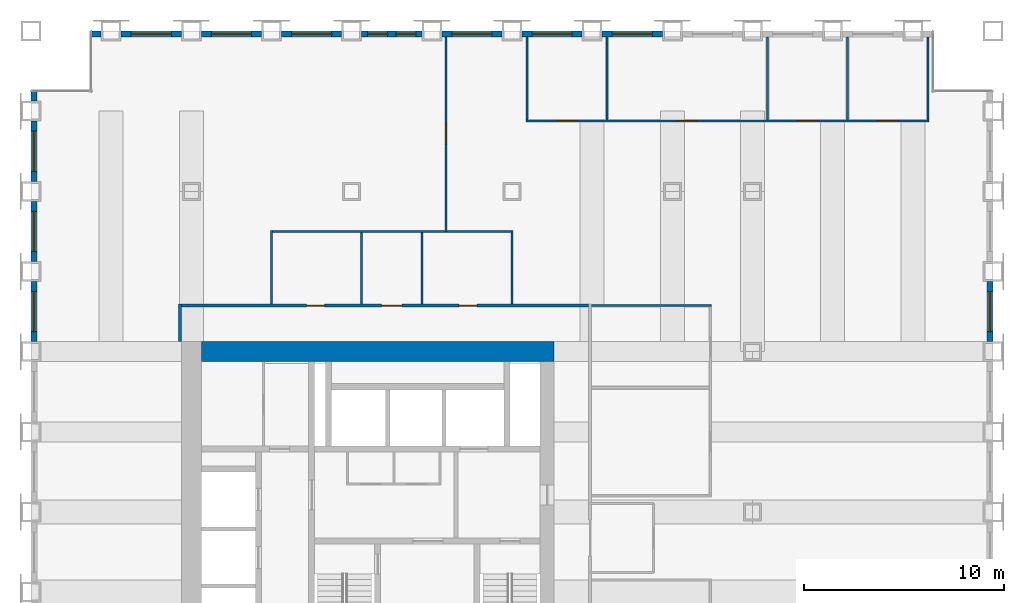
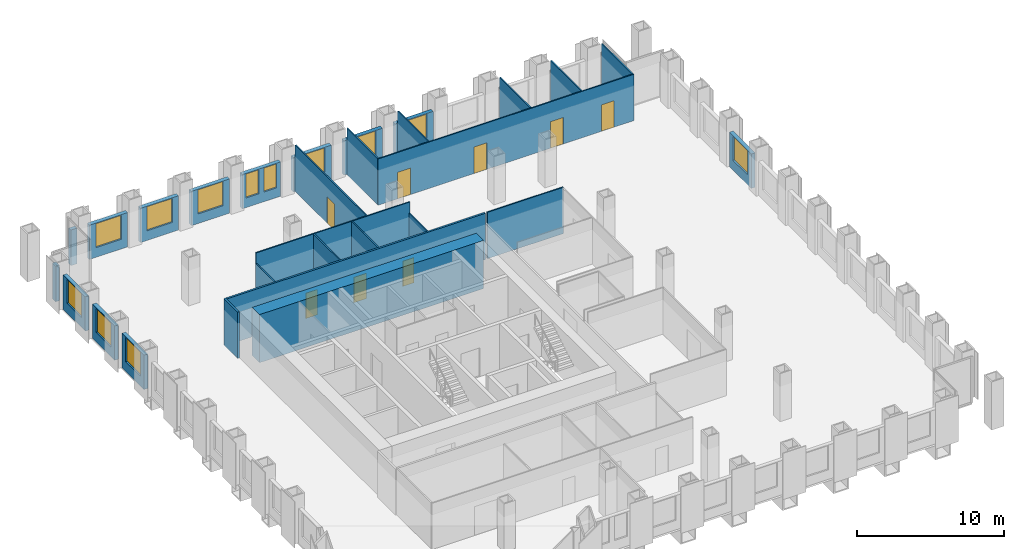
# One storey, part 12 of 14: 29 walls, 12 windows, 8 doors, 20 openings.
"""IFC4 building model written with IfcOpenShell, lengths in metres."""

from ifc_helpers import new_model, si_unit, direction, frame, frame_2d, origin, place, context, subcontext, project, spatial, rectangle, extrude, material, layer, layer_set, type_object, element, fill, save


model = new_model("IFC4")

# Units and contexts
model_context = context("Model", 3, precision=1e-05, world=origin(), true_north=direction((0.0, 1.0)))
body_context = subcontext(model_context, "Body", "Model", "MODEL_VIEW")
ifc_project = project(units=[si_unit("LENGTHUNIT", "METRE"), si_unit("AREAUNIT", "SQUARE_METRE"), si_unit("VOLUMEUNIT", "CUBIC_METRE"), si_unit("PLANEANGLEUNIT", "RADIAN"), si_unit("MASSUNIT", "GRAM", prefix="KILO")], contexts=[model_context])

# Site, building, storey
site_placement = place(None, origin())
site = spatial("IfcSite", under=ifc_project, at=site_placement, CompositionType="ELEMENT")
building_placement = place(site_placement, origin())
building = spatial("IfcBuilding", under=site, at=building_placement, Name="Rimbunsela Tower", CompositionType="ELEMENT")
storey_placement = place(building_placement, frame((0.0, 0.0, 109.39990234375)))
storey = spatial("IfcBuildingStorey", under=building, at=storey_placement, Name="L26", CompositionType="ELEMENT", Elevation=109.39990234375)

# Walls
ifc_material_1 = material(Name="Concrete fc' 80 MPa", Category="concrete")
ifc_layer_1 = layer(ifc_material_1, 1.0)
ifc_layer_set_1 = layer_set([ifc_layer_1], Name="Core wall 1000")
wall_type_1 = type_object("IfcWallType", Name="Core wall 1000", PredefinedType="SHEAR", material=ifc_layer_set_1)
wall_1_placement = place(storey_placement, frame((18.5, 36.0, -0.14990234375), z_axis=(0.0, 0.0, 1.0), x_axis=(1.0, 0.0, 0.0)))
element("IfcWall", 1, at=wall_1_placement, inside=storey, type_object=wall_type_1, Name="Core wall north", PredefinedType="SHEAR", context=body_context, shape_type="SweptSolid", body=[
    extrude(rectangle(XDim=17.60009765625, YDim=1.0, at=frame_2d((8.800048828125, 0.0))), origin(), (0.0, 0.0, 1.0), 4.0),
])
ifc_material_2 = material(Name="Gypsum board on steel studs", Category="steel")
ifc_layer_2 = layer(ifc_material_2, 0.10009765625)
ifc_layer_set_2 = layer_set([ifc_layer_2], Name="Office partition 100")
wall_type_2 = type_object("IfcWallType", Name="Office partition 100", PredefinedType="PARTITIONING", material=ifc_layer_set_2)
wall_2_placement = place(storey_placement, frame((37.97509765625, 38.300048828125, 0.0), z_axis=(0.0, 0.0, 1.0), x_axis=(1.0, 0.0, 0.0)))
element("IfcWall", 2, at=wall_2_placement, inside=storey, type_object=wall_type_2, Name="Office partition", PredefinedType="PARTITIONING", context=body_context, shape_type="SweptSolid", body=[
    extrude(rectangle(XDim=5.974853515625, YDim=0.10009765625, at=frame_2d((2.9873046875, 0.0))), origin(), (0.0, 0.0, 1.0), 3.85009765625),
])

# Wall, openings, doors
wall_3_placement = place(storey_placement, frame((34.699951171875, 47.5, 0.0), z_axis=(0.0, 0.0, 1.0), x_axis=(1.0, 0.0, 0.0)))
wall_3 = element("IfcWall", 3, at=wall_3_placement, inside=storey, type_object=wall_type_2, Name="Office partition", PredefinedType="PARTITIONING", context=body_context, shape_type="SweptSolid", body=[
    extrude(rectangle(XDim=20.10009765625, YDim=0.10009765625, at=frame_2d((10.050048828125, 0.0))), origin(), (0.0, 0.0, 1.0), 3.85009765625),
])
opening_1_placement = place(wall_3_placement, frame((1.550048828125, 0.0, 0.0)))
opening_1 = element("IfcOpeningElement", 4, at=opening_1_placement, cuts=wall_3, Name="Opening D16", PredefinedType="OPENING", context=body_context, shape_type="SweptSolid", body=[
    extrude(rectangle(XDim=1.0, YDim=2.199951171875, at=frame_2d((0.5, 1.10009765625))), frame((0.0, 0.06005859375, 0.0), z_axis=(0.0, -1.0, 0.0), x_axis=(1.0, 0.0, 0.0)), (0.0, 0.0, 1.0), 0.1201171875),
])
opening_2_placement = place(wall_3_placement, frame((7.550048828125, 0.0, 0.0)))
opening_2 = element("IfcOpeningElement", 5, at=opening_2_placement, cuts=wall_3, Name="Opening D16", PredefinedType="OPENING", context=body_context, shape_type="SweptSolid", body=[
    extrude(rectangle(XDim=1.0, YDim=2.199951171875, at=frame_2d((0.5, 1.10009765625))), frame((0.0, 0.06005859375, 0.0), z_axis=(0.0, -1.0, 0.0), x_axis=(1.0, 0.0, 0.0)), (0.0, 0.0, 1.0), 0.1201171875),
])
opening_3_placement = place(wall_3_placement, frame((13.550048828125, 0.0, 0.0)))
opening_3 = element("IfcOpeningElement", 6, at=opening_3_placement, cuts=wall_3, Name="Opening D16", PredefinedType="OPENING", context=body_context, shape_type="SweptSolid", body=[
    extrude(rectangle(XDim=1.0, YDim=2.199951171875, at=frame_2d((0.5, 1.10009765625))), frame((0.0, 0.06005859375, 0.0), z_axis=(0.0, -1.0, 0.0), x_axis=(1.0, 0.0, 0.0)), (0.0, 0.0, 1.0), 0.1201171875),
])
opening_4_placement = place(wall_3_placement, frame((17.550048828125, 0.0, 0.0)))
opening_4 = element("IfcOpeningElement", 7, at=opening_4_placement, cuts=wall_3, Name="Opening D16", PredefinedType="OPENING", context=body_context, shape_type="SweptSolid", body=[
    extrude(rectangle(XDim=1.0, YDim=2.199951171875, at=frame_2d((0.5, 1.10009765625))), frame((0.0, 0.06005859375, 0.0), z_axis=(0.0, -1.0, 0.0), x_axis=(1.0, 0.0, 0.0)), (0.0, 0.0, 1.0), 0.1201171875),
])
ifc_material_3 = material(Name="Timber door", Category="wood")
door_type_1 = type_object("IfcDoorType", Name="Office door 1000", OperationType="SINGLE_SWING_LEFT", PredefinedType="DOOR", material=ifc_material_3)
door_1_placement = place(opening_1_placement, origin())
door_1 = element("IfcDoor", 8, at=door_1_placement, inside=storey, type_object=door_type_1, Name="Office door", OperationType="SINGLE_SWING_LEFT", OverallHeight=2.199951171875, OverallWidth=1.0, PredefinedType="DOOR", context=body_context, shape_type="SweptSolid", body=[
    extrude(rectangle(XDim=1.0, YDim=2.199951171875, at=frame_2d((0.5, 1.10009765625))), frame((0.0, 0.02490234375, 0.0), z_axis=(0.0, -1.0, 0.0), x_axis=(1.0, 0.0, 0.0)), (0.0, 0.0, 1.0), 0.050048828125),
])
fill(opening_1, door_1)
door_2_placement = place(opening_2_placement, origin())
door_2 = element("IfcDoor", 9, at=door_2_placement, inside=storey, type_object=door_type_1, Name="Office door", OperationType="SINGLE_SWING_LEFT", OverallHeight=2.199951171875, OverallWidth=1.0, PredefinedType="DOOR", context=body_context, shape_type="SweptSolid", body=[
    extrude(rectangle(XDim=1.0, YDim=2.199951171875, at=frame_2d((0.5, 1.10009765625))), frame((0.0, 0.02490234375, 0.0), z_axis=(0.0, -1.0, 0.0), x_axis=(1.0, 0.0, 0.0)), (0.0, 0.0, 1.0), 0.050048828125),
])
fill(opening_2, door_2)
door_3_placement = place(opening_3_placement, origin())
door_3 = element("IfcDoor", 10, at=door_3_placement, inside=storey, type_object=door_type_1, Name="Office door", OperationType="SINGLE_SWING_LEFT", OverallHeight=2.199951171875, OverallWidth=1.0, PredefinedType="DOOR", context=body_context, shape_type="SweptSolid", body=[
    extrude(rectangle(XDim=1.0, YDim=2.199951171875, at=frame_2d((0.5, 1.10009765625))), frame((0.0, 0.02490234375, 0.0), z_axis=(0.0, -1.0, 0.0), x_axis=(1.0, 0.0, 0.0)), (0.0, 0.0, 1.0), 0.050048828125),
])
fill(opening_3, door_3)
door_4_placement = place(opening_4_placement, origin())
door_4 = element("IfcDoor", 11, at=door_4_placement, inside=storey, type_object=door_type_1, Name="Office door", OperationType="SINGLE_SWING_LEFT", OverallHeight=2.199951171875, OverallWidth=1.0, PredefinedType="DOOR", context=body_context, shape_type="SweptSolid", body=[
    extrude(rectangle(XDim=1.0, YDim=2.199951171875, at=frame_2d((0.5, 1.10009765625))), frame((0.0, 0.02490234375, 0.0), z_axis=(0.0, -1.0, 0.0), x_axis=(1.0, 0.0, 0.0)), (0.0, 0.0, 1.0), 0.050048828125),
])
fill(opening_4, door_4)

# Walls
for number, where, z_axis, x_axis, name in (
    (12, (34.75, 47.550048828125, 0.0), (0.0, 0.0, 1.0), (0.0, 1.0, 0.0), "Office partition"),
    (13, (38.75, 47.550048828125, 0.0), (0.0, 0.0, 1.0), (0.0, 1.0, 0.0), "Office partition"),
    (14, (46.75, 47.550048828125, 0.0), (0.0, 0.0, 1.0), (0.0, 1.0, 0.0), "Office partition"),
    (15, (50.75, 47.550048828125, 0.0), (0.0, 0.0, 1.0), (0.0, 1.0, 0.0), "Office partition"),
    (16, (54.75, 47.550048828125, 0.0), (0.0, 0.0, 1.0), (0.0, 1.0, 0.0), "Office partition"),
):
    element("IfcWall", number, at=place(storey_placement, frame(where, z_axis=z_axis, x_axis=x_axis)), inside=storey, type_object=wall_type_2, Name=name, PredefinedType="PARTITIONING", context=body_context, shape_type="SweptSolid", body=[
        extrude(rectangle(XDim=4.14990234375, YDim=0.10009765625, at=frame_2d((2.074951171875, 0.0))), origin(), (0.0, 0.0, 1.0), 3.85009765625),
    ])

# Wall, opening, door
wall_4_placement = place(storey_placement, frame((30.699951171875, 42.0, 0.0), z_axis=(0.0, 0.0, 1.0), x_axis=(0.0, 1.0, 0.0)))
wall_4 = element("IfcWall", 17, at=wall_4_placement, inside=storey, type_object=wall_type_2, Name="Office partition", PredefinedType="PARTITIONING", context=body_context, shape_type="SweptSolid", body=[
    extrude(rectangle(XDim=9.699951171875, YDim=0.10009765625, at=frame_2d((4.85009765625, 0.0))), origin(), (0.0, 0.0, 1.0), 3.85009765625),
])
opening_5_placement = place(wall_4_placement, frame((4.35009765625, 0.0, 0.0)))
opening_5 = element("IfcOpeningElement", 18, at=opening_5_placement, cuts=wall_4, Name="Opening D17", PredefinedType="OPENING", context=body_context, shape_type="SweptSolid", body=[
    extrude(rectangle(XDim=1.0, YDim=2.199951171875, at=frame_2d((0.5, 1.10009765625))), frame((0.0, 0.06005859375, 0.0), z_axis=(0.0, -1.0, 0.0), x_axis=(1.0, 0.0, 0.0)), (0.0, 0.0, 1.0), 0.1201171875),
])
ifc_material_4 = material(Name="Glazed aluminium door", Category="aluminium")
door_type_2 = type_object("IfcDoorType", Name="Meeting room door 1000 glazed", OperationType="SINGLE_SWING_RIGHT", PredefinedType="DOOR", material=ifc_material_4)
door_5_placement = place(opening_5_placement, origin())
door_5 = element("IfcDoor", 19, at=door_5_placement, inside=storey, type_object=door_type_2, Name="Open office screen door", OperationType="SINGLE_SWING_RIGHT", OverallHeight=2.199951171875, OverallWidth=1.0, PredefinedType="DOOR", context=body_context, shape_type="SweptSolid", body=[
    extrude(rectangle(XDim=1.0, YDim=2.199951171875, at=frame_2d((0.5, 1.10009765625))), frame((0.0, 0.02490234375, 0.0), z_axis=(0.0, -1.0, 0.0), x_axis=(1.0, 0.0, 0.0)), (0.0, 0.0, 1.0), 0.050048828125),
])
fill(opening_5, door_5)

# Wall, opening, window
ifc_material_5 = material(Name="Precast concrete fc' 35 MPa", Category="concrete")
ifc_layer_3 = layer(ifc_material_5, 0.300048828125)
ifc_layer_set_3 = layer_set([ifc_layer_3], Name="Precast concrete fc' 35 MPa")
wall_type_3 = type_object("IfcWallType", Name="Precast facade panel 300", PredefinedType="ELEMENTEDWALL", material=ifc_layer_set_3)
wall_5_placement = place(storey_placement, frame((57.85009765625, 36.5, 0.0), z_axis=(0.0, 0.0, 1.0), x_axis=(0.0, 1.0, 0.0)))
wall_5 = element("IfcWall", 20, at=wall_5_placement, inside=storey, type_object=wall_type_3, Name="Facade panel E L26", PredefinedType="ELEMENTEDWALL", context=body_context, shape_type="SweptSolid", body=[
    extrude(rectangle(XDim=3.0, YDim=0.300048828125, at=frame_2d((1.5, 0.0))), origin(), (0.0, 0.0, 1.0), 2.85009765625),
])
opening_6_placement = place(wall_5_placement, frame((0.5, 0.0, 0.800048828125)))
opening_6 = element("IfcOpeningElement", 21, at=opening_6_placement, cuts=wall_5, Name="Opening W1", PredefinedType="OPENING", context=body_context, shape_type="SweptSolid", body=[
    extrude(rectangle(XDim=2.0, YDim=2.0, at=frame_2d((1.0, 1.0))), frame((0.0, 0.159912109375, 0.0), z_axis=(0.0, -1.0, 0.0), x_axis=(1.0, 0.0, 0.0)), (0.0, 0.0, 1.0), 0.320068359375),
])
ifc_material_6 = material(Name="Clear glass in aluminium frame", Category="aluminium")
window_type_1 = type_object("IfcWindowType", Name="Window W1 2000x2000", PartitioningType="DOUBLE_PANEL_VERTICAL", PredefinedType="WINDOW", material=ifc_material_6)
window_1_placement = place(opening_6_placement, origin())
window_1 = element("IfcWindow", 22, at=window_1_placement, inside=storey, type_object=window_type_1, Name="Window L26", OverallHeight=2.0, OverallWidth=2.0, PartitioningType="SINGLE_PANEL", PredefinedType="WINDOW", context=body_context, shape_type="SweptSolid", body=[
    extrude(rectangle(XDim=2.0, YDim=2.0, at=frame_2d((1.0, 1.0))), frame((0.0, 0.030029296875, 0.0), z_axis=(0.0, -1.0, 0.0), x_axis=(1.0, 0.0, 0.0)), (0.0, 0.0, 1.0), 0.06005859375),
])
fill(opening_6, window_1)

# Wall
wall_6_placement = place(storey_placement, frame((13.5, 51.85009765625, 0.0), z_axis=(0.0, 0.0, 1.0), x_axis=(-1.0, 0.0, 0.0)))
element("IfcWall", 23, at=wall_6_placement, inside=storey, type_object=wall_type_3, Name="Facade panel N L26", PredefinedType="ELEMENTEDWALL", context=body_context, shape_type="SweptSolid", body=[
    extrude(rectangle(XDim=0.469970703125, YDim=0.300048828125, at=frame_2d((0.23486328125, 0.0))), origin(), (0.0, 0.0, 1.0), 2.9501953125),
])

# Wall, opening, window
wall_7_placement = place(storey_placement, frame((17.5, 51.85009765625, 0.0), z_axis=(0.0, 0.0, 1.0), x_axis=(-1.0, 0.0, 0.0)))
wall_7 = element("IfcWall", 24, at=wall_7_placement, inside=storey, type_object=wall_type_3, Name="Facade panel N L26", PredefinedType="ELEMENTEDWALL", context=body_context, shape_type="SweptSolid", body=[
    extrude(rectangle(XDim=3.0, YDim=0.300048828125, at=frame_2d((1.5, 0.0))), origin(), (0.0, 0.0, 1.0), 2.85009765625),
])
opening_7_placement = place(wall_7_placement, frame((0.5, 0.0, 0.800048828125)))
opening_7 = element("IfcOpeningElement", 25, at=opening_7_placement, cuts=wall_7, Name="Opening W1", PredefinedType="OPENING", context=body_context, shape_type="SweptSolid", body=[
    extrude(rectangle(XDim=2.0, YDim=2.0, at=frame_2d((1.0, 1.0))), frame((0.0, 0.159912109375, 0.0), z_axis=(0.0, -1.0, 0.0), x_axis=(1.0, 0.0, 0.0)), (0.0, 0.0, 1.0), 0.320068359375),
])
window_2_placement = place(opening_7_placement, origin())
window_2 = element("IfcWindow", 26, at=window_2_placement, inside=storey, type_object=window_type_1, Name="Window L26", OverallHeight=2.0, OverallWidth=2.0, PartitioningType="SINGLE_PANEL", PredefinedType="WINDOW", context=body_context, shape_type="SweptSolid", body=[
    extrude(rectangle(XDim=2.0, YDim=2.0, at=frame_2d((1.0, 1.0))), frame((0.0, 0.030029296875, 0.0), z_axis=(0.0, -1.0, 0.0), x_axis=(1.0, 0.0, 0.0)), (0.0, 0.0, 1.0), 0.06005859375),
])
fill(opening_7, window_2)

wall_8_placement = place(storey_placement, frame((21.5, 51.85009765625, 0.0), z_axis=(0.0, 0.0, 1.0), x_axis=(-1.0, 0.0, 0.0)))
wall_8 = element("IfcWall", 27, at=wall_8_placement, inside=storey, type_object=wall_type_3, Name="Facade panel N L26", PredefinedType="ELEMENTEDWALL", context=body_context, shape_type="SweptSolid", body=[
    extrude(rectangle(XDim=3.0, YDim=0.300048828125, at=frame_2d((1.5, 0.0))), origin(), (0.0, 0.0, 1.0), 2.85009765625),
])
opening_8_placement = place(wall_8_placement, frame((0.5, 0.0, 0.800048828125)))
opening_8 = element("IfcOpeningElement", 28, at=opening_8_placement, cuts=wall_8, Name="Opening W1", PredefinedType="OPENING", context=body_context, shape_type="SweptSolid", body=[
    extrude(rectangle(XDim=2.0, YDim=2.0, at=frame_2d((1.0, 1.0))), frame((0.0, 0.159912109375, 0.0), z_axis=(0.0, -1.0, 0.0), x_axis=(1.0, 0.0, 0.0)), (0.0, 0.0, 1.0), 0.320068359375),
])
window_3_placement = place(opening_8_placement, origin())
window_3 = element("IfcWindow", 29, at=window_3_placement, inside=storey, type_object=window_type_1, Name="Window L26", OverallHeight=2.0, OverallWidth=2.0, PartitioningType="SINGLE_PANEL", PredefinedType="WINDOW", context=body_context, shape_type="SweptSolid", body=[
    extrude(rectangle(XDim=2.0, YDim=2.0, at=frame_2d((1.0, 1.0))), frame((0.0, 0.030029296875, 0.0), z_axis=(0.0, -1.0, 0.0), x_axis=(1.0, 0.0, 0.0)), (0.0, 0.0, 1.0), 0.06005859375),
])
fill(opening_8, window_3)

wall_9_placement = place(storey_placement, frame((25.5, 51.85009765625, 0.0), z_axis=(0.0, 0.0, 1.0), x_axis=(-1.0, 0.0, 0.0)))
wall_9 = element("IfcWall", 30, at=wall_9_placement, inside=storey, type_object=wall_type_3, Name="Facade panel N L26", PredefinedType="ELEMENTEDWALL", context=body_context, shape_type="SweptSolid", body=[
    extrude(rectangle(XDim=3.0, YDim=0.300048828125, at=frame_2d((1.5, 0.0))), origin(), (0.0, 0.0, 1.0), 2.85009765625),
])
opening_9_placement = place(wall_9_placement, frame((0.5, 0.0, 0.800048828125)))
opening_9 = element("IfcOpeningElement", 31, at=opening_9_placement, cuts=wall_9, Name="Opening W1", PredefinedType="OPENING", context=body_context, shape_type="SweptSolid", body=[
    extrude(rectangle(XDim=2.0, YDim=2.0, at=frame_2d((1.0, 1.0))), frame((0.0, 0.159912109375, 0.0), z_axis=(0.0, -1.0, 0.0), x_axis=(1.0, 0.0, 0.0)), (0.0, 0.0, 1.0), 0.320068359375),
])
window_4_placement = place(opening_9_placement, origin())
window_4 = element("IfcWindow", 32, at=window_4_placement, inside=storey, type_object=window_type_1, Name="Window L26", OverallHeight=2.0, OverallWidth=2.0, PartitioningType="SINGLE_PANEL", PredefinedType="WINDOW", context=body_context, shape_type="SweptSolid", body=[
    extrude(rectangle(XDim=2.0, YDim=2.0, at=frame_2d((1.0, 1.0))), frame((0.0, 0.030029296875, 0.0), z_axis=(0.0, -1.0, 0.0), x_axis=(1.0, 0.0, 0.0)), (0.0, 0.0, 1.0), 0.06005859375),
])
fill(opening_9, window_4)

# Wall, openings, windows
wall_10_placement = place(storey_placement, frame((29.5, 51.85009765625, 0.0), z_axis=(0.0, 0.0, 1.0), x_axis=(-1.0, 0.0, 0.0)))
wall_10 = element("IfcWall", 33, at=wall_10_placement, inside=storey, type_object=wall_type_3, Name="Facade panel N L26", PredefinedType="ELEMENTEDWALL", context=body_context, shape_type="SweptSolid", body=[
    extrude(rectangle(XDim=3.0, YDim=0.300048828125, at=frame_2d((1.5, 0.0))), origin(), (0.0, 0.0, 1.0), 2.85009765625),
])
opening_10_placement = place(wall_10_placement, frame((1.699951171875, 0.0, 0.800048828125)))
opening_10 = element("IfcOpeningElement", 34, at=opening_10_placement, cuts=wall_10, Name="Opening W5", PredefinedType="OPENING", context=body_context, shape_type="SweptSolid", body=[
    extrude(rectangle(XDim=1.0, YDim=2.0, at=frame_2d((0.5, 1.0))), frame((0.0, 0.159912109375, 0.0), z_axis=(0.0, -1.0, 0.0), x_axis=(1.0, 0.0, 0.0)), (0.0, 0.0, 1.0), 0.320068359375),
])
opening_11_placement = place(wall_10_placement, frame((0.300048828125, 0.0, 0.800048828125)))
opening_11 = element("IfcOpeningElement", 35, at=opening_11_placement, cuts=wall_10, Name="Opening W5", PredefinedType="OPENING", context=body_context, shape_type="SweptSolid", body=[
    extrude(rectangle(XDim=1.0, YDim=2.0, at=frame_2d((0.5, 1.0))), frame((0.0, 0.159912109375, 0.0), z_axis=(0.0, -1.0, 0.0), x_axis=(1.0, 0.0, 0.0)), (0.0, 0.0, 1.0), 0.320068359375),
])
ifc_material_7 = material(Name="Clear glass in aluminium frame", Category="aluminium")
window_type_2 = type_object("IfcWindowType", Name="Window W5 1000x2000", PartitioningType="SINGLE_PANEL", PredefinedType="WINDOW", material=ifc_material_7)
window_5_placement = place(opening_10_placement, origin())
window_5 = element("IfcWindow", 36, at=window_5_placement, inside=storey, type_object=window_type_2, Name="Window L26", OverallHeight=2.0, OverallWidth=1.0, PartitioningType="SINGLE_PANEL", PredefinedType="WINDOW", context=body_context, shape_type="SweptSolid", body=[
    extrude(rectangle(XDim=1.0, YDim=2.0, at=frame_2d((0.5, 1.0))), frame((0.0, 0.030029296875, 0.0), z_axis=(0.0, -1.0, 0.0), x_axis=(1.0, 0.0, 0.0)), (0.0, 0.0, 1.0), 0.06005859375),
])
fill(opening_10, window_5)
window_6_placement = place(opening_11_placement, origin())
window_6 = element("IfcWindow", 37, at=window_6_placement, inside=storey, type_object=window_type_2, Name="Window L26", OverallHeight=2.0, OverallWidth=1.0, PartitioningType="SINGLE_PANEL", PredefinedType="WINDOW", context=body_context, shape_type="SweptSolid", body=[
    extrude(rectangle(XDim=1.0, YDim=2.0, at=frame_2d((0.5, 1.0))), frame((0.0, 0.030029296875, 0.0), z_axis=(0.0, -1.0, 0.0), x_axis=(1.0, 0.0, 0.0)), (0.0, 0.0, 1.0), 0.06005859375),
])
fill(opening_11, window_6)

# Wall, opening, window
wall_11_placement = place(storey_placement, frame((33.5, 51.85009765625, 0.0), z_axis=(0.0, 0.0, 1.0), x_axis=(-1.0, 0.0, 0.0)))
wall_11 = element("IfcWall", 38, at=wall_11_placement, inside=storey, type_object=wall_type_3, Name="Facade panel N L26", PredefinedType="ELEMENTEDWALL", context=body_context, shape_type="SweptSolid", body=[
    extrude(rectangle(XDim=3.0, YDim=0.300048828125, at=frame_2d((1.5, 0.0))), origin(), (0.0, 0.0, 1.0), 2.85009765625),
])
opening_12_placement = place(wall_11_placement, frame((0.5, 0.0, 0.800048828125)))
opening_12 = element("IfcOpeningElement", 39, at=opening_12_placement, cuts=wall_11, Name="Opening W1", PredefinedType="OPENING", context=body_context, shape_type="SweptSolid", body=[
    extrude(rectangle(XDim=2.0, YDim=2.0, at=frame_2d((1.0, 1.0))), frame((0.0, 0.159912109375, 0.0), z_axis=(0.0, -1.0, 0.0), x_axis=(1.0, 0.0, 0.0)), (0.0, 0.0, 1.0), 0.320068359375),
])
window_7_placement = place(opening_12_placement, origin())
window_7 = element("IfcWindow", 40, at=window_7_placement, inside=storey, type_object=window_type_1, Name="Window L26", OverallHeight=2.0, OverallWidth=2.0, PartitioningType="SINGLE_PANEL", PredefinedType="WINDOW", context=body_context, shape_type="SweptSolid", body=[
    extrude(rectangle(XDim=2.0, YDim=2.0, at=frame_2d((1.0, 1.0))), frame((0.0, 0.030029296875, 0.0), z_axis=(0.0, -1.0, 0.0), x_axis=(1.0, 0.0, 0.0)), (0.0, 0.0, 1.0), 0.06005859375),
])
fill(opening_12, window_7)

wall_12_placement = place(storey_placement, frame((37.5, 51.85009765625, 0.0), z_axis=(0.0, 0.0, 1.0), x_axis=(-1.0, 0.0, 0.0)))
wall_12 = element("IfcWall", 41, at=wall_12_placement, inside=storey, type_object=wall_type_3, Name="Facade panel N L26", PredefinedType="ELEMENTEDWALL", context=body_context, shape_type="SweptSolid", body=[
    extrude(rectangle(XDim=3.0, YDim=0.300048828125, at=frame_2d((1.5, 0.0))), origin(), (0.0, 0.0, 1.0), 2.85009765625),
])
opening_13_placement = place(wall_12_placement, frame((0.5, 0.0, 0.800048828125)))
opening_13 = element("IfcOpeningElement", 42, at=opening_13_placement, cuts=wall_12, Name="Opening W1", PredefinedType="OPENING", context=body_context, shape_type="SweptSolid", body=[
    extrude(rectangle(XDim=2.0, YDim=2.0, at=frame_2d((1.0, 1.0))), frame((0.0, 0.159912109375, 0.0), z_axis=(0.0, -1.0, 0.0), x_axis=(1.0, 0.0, 0.0)), (0.0, 0.0, 1.0), 0.320068359375),
])
window_8_placement = place(opening_13_placement, origin())
window_8 = element("IfcWindow", 43, at=window_8_placement, inside=storey, type_object=window_type_1, Name="Window L26", OverallHeight=2.0, OverallWidth=2.0, PartitioningType="SINGLE_PANEL", PredefinedType="WINDOW", context=body_context, shape_type="SweptSolid", body=[
    extrude(rectangle(XDim=2.0, YDim=2.0, at=frame_2d((1.0, 1.0))), frame((0.0, 0.030029296875, 0.0), z_axis=(0.0, -1.0, 0.0), x_axis=(1.0, 0.0, 0.0)), (0.0, 0.0, 1.0), 0.06005859375),
])
fill(opening_13, window_8)

wall_13_placement = place(storey_placement, frame((41.5, 51.85009765625, 0.0), z_axis=(0.0, 0.0, 1.0), x_axis=(-1.0, 0.0, 0.0)))
wall_13 = element("IfcWall", 44, at=wall_13_placement, inside=storey, type_object=wall_type_3, Name="Facade panel N L26", PredefinedType="ELEMENTEDWALL", context=body_context, shape_type="SweptSolid", body=[
    extrude(rectangle(XDim=3.0, YDim=0.300048828125, at=frame_2d((1.5, 0.0))), origin(), (0.0, 0.0, 1.0), 2.85009765625),
])
opening_14_placement = place(wall_13_placement, frame((0.5, 0.0, 0.800048828125)))
opening_14 = element("IfcOpeningElement", 45, at=opening_14_placement, cuts=wall_13, Name="Opening W1", PredefinedType="OPENING", context=body_context, shape_type="SweptSolid", body=[
    extrude(rectangle(XDim=2.0, YDim=2.0, at=frame_2d((1.0, 1.0))), frame((0.0, 0.159912109375, 0.0), z_axis=(0.0, -1.0, 0.0), x_axis=(1.0, 0.0, 0.0)), (0.0, 0.0, 1.0), 0.320068359375),
])
window_9_placement = place(opening_14_placement, origin())
window_9 = element("IfcWindow", 46, at=window_9_placement, inside=storey, type_object=window_type_1, Name="Window L26", OverallHeight=2.0, OverallWidth=2.0, PartitioningType="SINGLE_PANEL", PredefinedType="WINDOW", context=body_context, shape_type="SweptSolid", body=[
    extrude(rectangle(XDim=2.0, YDim=2.0, at=frame_2d((1.0, 1.0))), frame((0.0, 0.030029296875, 0.0), z_axis=(0.0, -1.0, 0.0), x_axis=(1.0, 0.0, 0.0)), (0.0, 0.0, 1.0), 0.06005859375),
])
fill(opening_14, window_9)

wall_14_placement = place(storey_placement, frame((10.14990234375, 39.5, 0.0), z_axis=(0.0, 0.0, 1.0), x_axis=(0.0, -1.0, 0.0)))
wall_14 = element("IfcWall", 47, at=wall_14_placement, inside=storey, type_object=wall_type_3, Name="Facade panel W L26", PredefinedType="ELEMENTEDWALL", context=body_context, shape_type="SweptSolid", body=[
    extrude(rectangle(XDim=3.0, YDim=0.300048828125, at=frame_2d((1.5, 0.0))), origin(), (0.0, 0.0, 1.0), 2.85009765625),
])
opening_15_placement = place(wall_14_placement, frame((0.5, 0.0, 0.800048828125)))
opening_15 = element("IfcOpeningElement", 48, at=opening_15_placement, cuts=wall_14, Name="Opening W1", PredefinedType="OPENING", context=body_context, shape_type="SweptSolid", body=[
    extrude(rectangle(XDim=2.0, YDim=2.0, at=frame_2d((1.0, 1.0))), frame((0.0, 0.159912109375, 0.0), z_axis=(0.0, -1.0, 0.0), x_axis=(1.0, 0.0, 0.0)), (0.0, 0.0, 1.0), 0.320068359375),
])
window_10_placement = place(opening_15_placement, origin())
window_10 = element("IfcWindow", 49, at=window_10_placement, inside=storey, type_object=window_type_1, Name="Window L26", OverallHeight=2.0, OverallWidth=2.0, PartitioningType="SINGLE_PANEL", PredefinedType="WINDOW", context=body_context, shape_type="SweptSolid", body=[
    extrude(rectangle(XDim=2.0, YDim=2.0, at=frame_2d((1.0, 1.0))), frame((0.0, 0.030029296875, 0.0), z_axis=(0.0, -1.0, 0.0), x_axis=(1.0, 0.0, 0.0)), (0.0, 0.0, 1.0), 0.06005859375),
])
fill(opening_15, window_10)

wall_15_placement = place(storey_placement, frame((10.14990234375, 43.5, 0.0), z_axis=(0.0, 0.0, 1.0), x_axis=(0.0, -1.0, 0.0)))
wall_15 = element("IfcWall", 50, at=wall_15_placement, inside=storey, type_object=wall_type_3, Name="Facade panel W L26", PredefinedType="ELEMENTEDWALL", context=body_context, shape_type="SweptSolid", body=[
    extrude(rectangle(XDim=3.0, YDim=0.300048828125, at=frame_2d((1.5, 0.0))), origin(), (0.0, 0.0, 1.0), 2.85009765625),
])
opening_16_placement = place(wall_15_placement, frame((0.5, 0.0, 0.800048828125)))
opening_16 = element("IfcOpeningElement", 51, at=opening_16_placement, cuts=wall_15, Name="Opening W1", PredefinedType="OPENING", context=body_context, shape_type="SweptSolid", body=[
    extrude(rectangle(XDim=2.0, YDim=2.0, at=frame_2d((1.0, 1.0))), frame((0.0, 0.159912109375, 0.0), z_axis=(0.0, -1.0, 0.0), x_axis=(1.0, 0.0, 0.0)), (0.0, 0.0, 1.0), 0.320068359375),
])
window_11_placement = place(opening_16_placement, origin())
window_11 = element("IfcWindow", 52, at=window_11_placement, inside=storey, type_object=window_type_1, Name="Window L26", OverallHeight=2.0, OverallWidth=2.0, PartitioningType="SINGLE_PANEL", PredefinedType="WINDOW", context=body_context, shape_type="SweptSolid", body=[
    extrude(rectangle(XDim=2.0, YDim=2.0, at=frame_2d((1.0, 1.0))), frame((0.0, 0.030029296875, 0.0), z_axis=(0.0, -1.0, 0.0), x_axis=(1.0, 0.0, 0.0)), (0.0, 0.0, 1.0), 0.06005859375),
])
fill(opening_16, window_11)

wall_16_placement = place(storey_placement, frame((10.14990234375, 47.5, 0.0), z_axis=(0.0, 0.0, 1.0), x_axis=(0.0, -1.0, 0.0)))
wall_16 = element("IfcWall", 53, at=wall_16_placement, inside=storey, type_object=wall_type_3, Name="Facade panel W L26", PredefinedType="ELEMENTEDWALL", context=body_context, shape_type="SweptSolid", body=[
    extrude(rectangle(XDim=3.0, YDim=0.300048828125, at=frame_2d((1.5, 0.0))), origin(), (0.0, 0.0, 1.0), 2.85009765625),
])
opening_17_placement = place(wall_16_placement, frame((0.5, 0.0, 0.800048828125)))
opening_17 = element("IfcOpeningElement", 54, at=opening_17_placement, cuts=wall_16, Name="Opening W1", PredefinedType="OPENING", context=body_context, shape_type="SweptSolid", body=[
    extrude(rectangle(XDim=2.0, YDim=2.0, at=frame_2d((1.0, 1.0))), frame((0.0, 0.159912109375, 0.0), z_axis=(0.0, -1.0, 0.0), x_axis=(1.0, 0.0, 0.0)), (0.0, 0.0, 1.0), 0.320068359375),
])
window_12_placement = place(opening_17_placement, origin())
window_12 = element("IfcWindow", 55, at=window_12_placement, inside=storey, type_object=window_type_1, Name="Window L26", OverallHeight=2.0, OverallWidth=2.0, PartitioningType="SINGLE_PANEL", PredefinedType="WINDOW", context=body_context, shape_type="SweptSolid", body=[
    extrude(rectangle(XDim=2.0, YDim=2.0, at=frame_2d((1.0, 1.0))), frame((0.0, 0.030029296875, 0.0), z_axis=(0.0, -1.0, 0.0), x_axis=(1.0, 0.0, 0.0)), (0.0, 0.0, 1.0), 0.06005859375),
])
fill(opening_17, window_12)

# Walls
wall_17_placement = place(storey_placement, frame((10.14990234375, 48.969970703125, 0.0), z_axis=(0.0, 0.0, 1.0), x_axis=(0.0, -1.0, 0.0)))
element("IfcWall", 56, at=wall_17_placement, inside=storey, type_object=wall_type_3, Name="Facade panel W L26", PredefinedType="ELEMENTEDWALL", context=body_context, shape_type="SweptSolid", body=[
    extrude(rectangle(XDim=0.469970703125, YDim=0.300048828125, at=frame_2d((0.23486328125, 0.0))), origin(), (0.0, 0.0, 1.0), 2.9501953125),
])
ifc_material_8 = material(Name="Fire-rated gypsum board on steel studs, EI 60", Category="steel")
ifc_layer_4 = layer(ifc_material_8, 0.14990234375)
ifc_layer_set_4 = layer_set([ifc_layer_4], Name="Rated corridor wall 150")
wall_type_4 = type_object("IfcWallType", Name="Rated corridor wall 150", PredefinedType="PARTITIONING", material=ifc_layer_set_4)
wall_18_placement = place(storey_placement, frame((17.425048828125, 36.5, 0.0), z_axis=(0.0, 0.0, 1.0), x_axis=(0.0, 1.0, 0.0)))
element("IfcWall", 57, at=wall_18_placement, inside=storey, type_object=wall_type_4, Name="Corridor end wall north", PredefinedType="PARTITIONING", context=body_context, shape_type="SweptSolid", body=[
    extrude(rectangle(XDim=1.875, YDim=0.14990234375, at=frame_2d((0.9375, 0.0))), origin(), (0.0, 0.0, 1.0), 3.85009765625),
])

# Wall, openings, doors
wall_19_placement = place(storey_placement, frame((17.5, 38.300048828125, 0.0), z_axis=(0.0, 0.0, 1.0), x_axis=(1.0, 0.0, 0.0)))
wall_19 = element("IfcWall", 58, at=wall_19_placement, inside=storey, type_object=wall_type_4, Name="Corridor wall north", PredefinedType="PARTITIONING", context=body_context, shape_type="SweptSolid", body=[
    extrude(rectangle(XDim=20.324951171875, YDim=0.14990234375, at=frame_2d((10.16259765625, 0.0))), origin(), (0.0, 0.0, 1.0), 3.85009765625),
])
opening_18_placement = place(wall_19_placement, frame((6.25, 0.0, 0.0)))
opening_18 = element("IfcOpeningElement", 59, at=opening_18_placement, cuts=wall_19, Name="Opening D04", PredefinedType="OPENING", context=body_context, shape_type="SweptSolid", body=[
    extrude(rectangle(XDim=0.89990234375, YDim=2.10009765625, at=frame_2d((0.449951171875, 1.050048828125))), frame((0.0, 0.0849609375, 0.0), z_axis=(0.0, -1.0, 0.0), x_axis=(1.0, 0.0, 0.0)), (0.0, 0.0, 1.0), 0.169921875),
])
opening_19_placement = place(wall_19_placement, frame((10.0, 0.0, 0.0)))
opening_19 = element("IfcOpeningElement", 60, at=opening_19_placement, cuts=wall_19, Name="Opening D05", PredefinedType="OPENING", context=body_context, shape_type="SweptSolid", body=[
    extrude(rectangle(XDim=1.0, YDim=2.10009765625, at=frame_2d((0.5, 1.050048828125))), frame((0.0, 0.0849609375, 0.0), z_axis=(0.0, -1.0, 0.0), x_axis=(1.0, 0.0, 0.0)), (0.0, 0.0, 1.0), 0.169921875),
])
opening_20_placement = place(wall_19_placement, frame((13.85009765625, 0.0, 0.0)))
opening_20 = element("IfcOpeningElement", 61, at=opening_20_placement, cuts=wall_19, Name="Opening D04", PredefinedType="OPENING", context=body_context, shape_type="SweptSolid", body=[
    extrude(rectangle(XDim=0.89990234375, YDim=2.10009765625, at=frame_2d((0.449951171875, 1.050048828125))), frame((0.0, 0.0849609375, 0.0), z_axis=(0.0, -1.0, 0.0), x_axis=(1.0, 0.0, 0.0)), (0.0, 0.0, 1.0), 0.169921875),
])
ifc_material_9 = material(Name="Timber door", Category="wood")
door_type_3 = type_object("IfcDoorType", Name="Accessible WC door 1000", OperationType="SLIDING_TO_LEFT", PredefinedType="DOOR", material=ifc_material_9)
door_6_placement = place(opening_19_placement, origin())
door_6 = element("IfcDoor", 62, at=door_6_placement, inside=storey, type_object=door_type_3, Name="Accessible WC door", OperationType="SLIDING_TO_LEFT", OverallHeight=2.10009765625, OverallWidth=1.0, PredefinedType="DOOR", context=body_context, shape_type="SweptSolid", body=[
    extrude(rectangle(XDim=1.0, YDim=2.10009765625, at=frame_2d((0.5, 1.050048828125))), frame((0.0, 0.02490234375, 0.0), z_axis=(0.0, -1.0, 0.0), x_axis=(1.0, 0.0, 0.0)), (0.0, 0.0, 1.0), 0.050048828125),
])
fill(opening_19, door_6)
ifc_material_10 = material(Name="Timber door", Category="wood")
door_type_4 = type_object("IfcDoorType", Name="Toilet door 900", OperationType="SINGLE_SWING_LEFT", PredefinedType="DOOR", material=ifc_material_10)
door_7_placement = place(opening_18_placement, origin())
door_7 = element("IfcDoor", 63, at=door_7_placement, inside=storey, type_object=door_type_4, Name="Female WC door", OperationType="SINGLE_SWING_LEFT", OverallHeight=2.10009765625, OverallWidth=0.89990234375, PredefinedType="DOOR", context=body_context, shape_type="SweptSolid", body=[
    extrude(rectangle(XDim=0.89990234375, YDim=2.10009765625, at=frame_2d((0.449951171875, 1.050048828125))), frame((0.0, 0.02490234375, 0.0), z_axis=(0.0, -1.0, 0.0), x_axis=(1.0, 0.0, 0.0)), (0.0, 0.0, 1.0), 0.050048828125),
])
fill(opening_18, door_7)
door_8_placement = place(opening_20_placement, origin())
door_8 = element("IfcDoor", 64, at=door_8_placement, inside=storey, type_object=door_type_4, Name="Male WC door", OperationType="SINGLE_SWING_LEFT", OverallHeight=2.10009765625, OverallWidth=0.89990234375, PredefinedType="DOOR", context=body_context, shape_type="SweptSolid", body=[
    extrude(rectangle(XDim=0.89990234375, YDim=2.10009765625, at=frame_2d((0.449951171875, 1.050048828125))), frame((0.0, 0.02490234375, 0.0), z_axis=(0.0, -1.0, 0.0), x_axis=(1.0, 0.0, 0.0)), (0.0, 0.0, 1.0), 0.050048828125),
])
fill(opening_20, door_8)

# Walls
ifc_material_11 = material(Name="Concrete blockwork", Category="masonry")
ifc_layer_5 = layer(ifc_material_11, 0.10009765625)
ifc_layer_set_5 = layer_set([ifc_layer_5], Name="Toilet partition 100")
wall_type_5 = type_object("IfcWallType", Name="Toilet partition 100", PredefinedType="PARTITIONING", material=ifc_layer_set_5)
for number, where, z_axis, x_axis, name in (
    (65, (22.0, 38.375, 0.0), (0.0, 0.0, 1.0), (0.0, 1.0, 0.0), "Toilet block wall west"),
    (66, (34.0, 38.375, 0.0), (0.0, 0.0, 1.0), (0.0, 1.0, 0.0), "Toilet block wall east"),
):
    element("IfcWall", number, at=place(storey_placement, frame(where, z_axis=z_axis, x_axis=x_axis)), inside=storey, type_object=wall_type_5, Name=name, PredefinedType="PARTITIONING", context=body_context, shape_type="SweptSolid", body=[
        extrude(rectangle(XDim=3.675048828125, YDim=0.10009765625, at=frame_2d((1.83740234375, 0.0))), origin(), (0.0, 0.0, 1.0), 2.9501953125),
    ])
wall_20_placement = place(storey_placement, frame((21.949951171875, 42.0, 0.0), z_axis=(0.0, 0.0, 1.0), x_axis=(1.0, 0.0, 0.0)))
element("IfcWall", 67, at=wall_20_placement, inside=storey, type_object=wall_type_5, Name="Toilet block wall north", PredefinedType="PARTITIONING", context=body_context, shape_type="SweptSolid", body=[
    extrude(rectangle(XDim=12.10009765625, YDim=0.10009765625, at=frame_2d((6.050048828125, 0.0))), origin(), (0.0, 0.0, 1.0), 3.85009765625),
])
for number, where, z_axis, x_axis, name in (
    (68, (26.5, 38.375, 0.0), (0.0, 0.0, 1.0), (0.0, 1.0, 0.0), "Toilet partition"),
    (69, (29.5, 38.375, 0.0), (0.0, 0.0, 1.0), (0.0, 1.0, 0.0), "Toilet partition"),
):
    element("IfcWall", number, at=place(storey_placement, frame(where, z_axis=z_axis, x_axis=x_axis)), inside=storey, type_object=wall_type_5, Name=name, PredefinedType="PARTITIONING", context=body_context, shape_type="SweptSolid", body=[
        extrude(rectangle(XDim=3.574951171875, YDim=0.10009765625, at=frame_2d((1.78759765625, 0.0))), origin(), (0.0, 0.0, 1.0), 3.85009765625),
    ])

save(model, "model.ifc")
